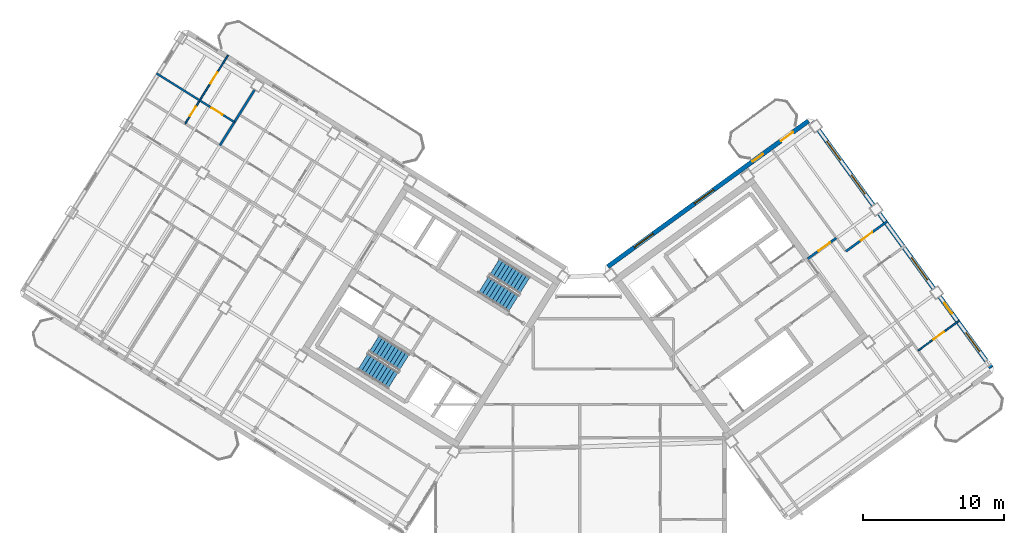
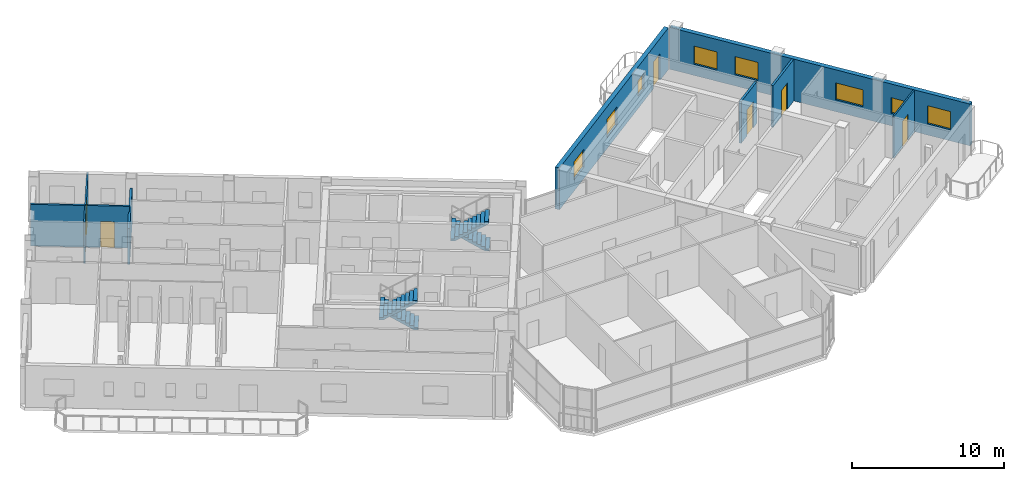
# One storey, part 21 of 25: 9 walls, 8 windows, 7 doors, 4 stair flights, 15 openings, 2 elements without a shape of their own.
"""IFC4 building model written with IfcOpenShell, lengths in metres."""

from ifc_helpers import new_model, si_unit, direction, frame, frame_2d, origin, place, context, subcontext, project, spatial, polyline, rectangle, outline, extrude, source, transform, mapped, material, layer, layer_set, type_object, element, fill, aggregate, save


model = new_model("IFC4")

# Units and contexts
model_context = context("Model", 3, precision=1e-05, world=origin(), true_north=direction((0.0, 1.0)))
body_context = subcontext(model_context, "Body", "Model", "MODEL_VIEW")
ifc_project = project(units=[si_unit("LENGTHUNIT", "METRE"), si_unit("AREAUNIT", "SQUARE_METRE"), si_unit("VOLUMEUNIT", "CUBIC_METRE"), si_unit("PLANEANGLEUNIT", "RADIAN"), si_unit("MASSUNIT", "GRAM", prefix="KILO")], contexts=[model_context])

# Site, building, storey
site_placement = place(None, origin())
site = spatial("IfcSite", under=ifc_project, at=site_placement, CompositionType="ELEMENT")
building_placement = place(site_placement, origin())
building = spatial("IfcBuilding", under=site, at=building_placement, Name="Tlacorven Tower", CompositionType="ELEMENT")
storey_placement = place(building_placement, frame((0.0, 0.0, 259.199951171875)))
storey = spatial("IfcBuildingStorey", under=building, at=storey_placement, Name="L65", CompositionType="ELEMENT", Elevation=259.199951171875)

# Wall
ifc_material_1 = material(Name="Gypsum plasterboard acoustic partition", Category="gypsum")
ifc_layer_1 = layer(ifc_material_1, 0.159912109375)
ifc_layer_set_1 = layer_set([ifc_layer_1], Name="Gypsum plasterboard acoustic partition")
wall_type_1 = type_object("IfcWallType", Name="WL-DEM-160", PredefinedType="PARTITIONING", material=ifc_layer_set_1)
wall_1_placement = place(storey_placement, frame((18.881103515625, 37.727294921875, 0.0), z_axis=(0.0, 0.0, 1.0), x_axis=(-0.529932694064, -0.848039704119, 0.0)))
element("IfcWall", 1, at=wall_1_placement, inside=storey, type_object=wall_type_1, Name="L65 WS Demising Wall 1", PredefinedType="PARTITIONING", context=body_context, shape_type="SweptSolid", body=[
    extrude(rectangle(XDim=4.637939453125, YDim=0.159912109375, at=frame_2d((2.31884765625, 0.0))), origin(), (0.0, 0.0, 1.0), 2.875),
])

# Wall, opening, door
wall_2_placement = place(storey_placement, frame((58.111083984375, 25.748779296875, 0.0), z_axis=(0.0, 0.0, 1.0), x_axis=(0.809000999347, 0.58780726693, 0.0)))
wall_2 = element("IfcWall", 2, at=wall_2_placement, inside=storey, type_object=wall_type_1, Name="L65 partition 86", PredefinedType="PARTITIONING", context=body_context, shape_type="SweptSolid", body=[
    extrude(rectangle(XDim=2.510009765625, YDim=0.159912109375, at=frame_2d((1.2548828125, 0.0))), origin(), (0.0, 0.0, 1.0), 3.340087890625),
])
opening_1_placement = place(wall_2_placement, frame((0.949951171875, 0.0, 0.0)))
opening_1 = element("IfcOpeningElement", 3, at=opening_1_placement, cuts=wall_2, Name="Opening D11", PredefinedType="OPENING", context=body_context, shape_type="SweptSolid", body=[
    extrude(rectangle(XDim=1.0, YDim=2.10009765625, at=frame_2d((0.5, 1.050048828125))), frame((0.0, 0.08984375, 0.0), z_axis=(0.0, -1.0, 0.0), x_axis=(1.0, 0.0, 0.0)), (0.0, 0.0, 1.0), 0.179931640625),
])
ifc_material_2 = material(Name="Fire-rated steel door assembly", Category="steel")
door_type_1 = type_object("IfcDoorType", Name="DR-FLT-FD60-1000", OperationType="NOTDEFINED", PredefinedType="DOOR", material=ifc_material_2)
shared_shape_1 = source(origin(), body_context, "Body", "SweptSolid", [
    extrude(rectangle(XDim=1.0, YDim=2.10009765625, at=frame_2d((0.5, 1.050048828125))), frame((0.0, 0.02490234375, 0.0), z_axis=(0.0, -1.0, 0.0), x_axis=(1.0, 0.0, 0.0)), (0.0, 0.0, 1.0), 0.050048828125),
])
door_1_placement = place(opening_1_placement, origin())
door_1 = element("IfcDoor", 4, at=door_1_placement, inside=storey, type_object=door_type_1, Name="L65 door 060", OperationType="SINGLE_SWING_RIGHT", OverallHeight=2.10009765625, OverallWidth=1.0, PredefinedType="DOOR", context=body_context, shape_type="MappedRepresentation", body=[
    mapped(shared_shape_1, transform((0.0, 0.0, 0.0), scale=1.0)),
])
fill(opening_1, door_1)

wall_3_placement = place(storey_placement, frame((60.829345703125, 26.277587890625, 0.0), z_axis=(0.0, 0.0, 1.0), x_axis=(0.809003564202, 0.587803736896, 0.0)))
wall_3 = element("IfcWall", 5, at=wall_3_placement, inside=storey, type_object=wall_type_1, Name="L65 partition 91", PredefinedType="PARTITIONING", context=body_context, shape_type="SweptSolid", body=[
    extrude(rectangle(XDim=3.630126953125, YDim=0.159912109375, at=frame_2d((1.81494140625, 0.0))), origin(), (0.0, 0.0, 1.0), 3.340087890625),
])
opening_2_placement = place(wall_3_placement, frame((1.304931640625, 0.0, 0.0)))
opening_2 = element("IfcOpeningElement", 6, at=opening_2_placement, cuts=wall_3, Name="Opening D11", PredefinedType="OPENING", context=body_context, shape_type="SweptSolid", body=[
    extrude(rectangle(XDim=1.0, YDim=2.10009765625, at=frame_2d((0.5, 1.050048828125))), frame((0.0, 0.08984375, 0.0), z_axis=(0.0, -1.0, 0.0), x_axis=(1.0, 0.0, 0.0)), (0.0, 0.0, 1.0), 0.179931640625),
])
door_2_placement = place(opening_2_placement, origin())
door_2 = element("IfcDoor", 7, at=door_2_placement, inside=storey, type_object=door_type_1, Name="L65 door 062", OperationType="SINGLE_SWING_RIGHT", OverallHeight=2.10009765625, OverallWidth=1.0, PredefinedType="DOOR", context=body_context, shape_type="MappedRepresentation", body=[
    mapped(shared_shape_1, transform((0.0, 0.0, 0.0), scale=1.0)),
])
fill(opening_2, door_2)

# Wall, openings, door, windows
ifc_material_3 = material(Name="Precast concrete C45/55", Category="concrete")
ifc_layer_2 = layer(ifc_material_3, 0.320068359375)
ifc_layer_set_2 = layer_set([ifc_layer_2], Name="Precast concrete C45/55")
wall_type_2 = type_object("IfcWallType", Name="WL-EXT-320", PredefinedType="STANDARD", material=ifc_layer_set_2)
wall_4_placement = place(storey_placement, frame((43.93798828125, 25.191650390625, 0.0), z_axis=(0.0, 0.0, 1.0), x_axis=(0.809016324578, 0.587786174187, 0.0)))
wall_4 = element("IfcWall", 8, at=wall_4_placement, inside=storey, type_object=wall_type_2, Name="L65 Masonry-Frame Recessed Facade Wall 4", PredefinedType="STANDARD", context=body_context, shape_type="SweptSolid", body=[
    extrude(rectangle(XDim=17.58740234375, YDim=0.320068359375, at=frame_2d((8.793701171875, 0.0))), origin(), (0.0, 0.0, 1.0), 3.35009765625),
])
opening_3_placement = place(wall_4_placement, frame((15.17626953125, 0.0, 0.0)))
opening_3 = element("IfcOpeningElement", 9, at=opening_3_placement, cuts=wall_4, Name="Opening D06", PredefinedType="OPENING", context=body_context, shape_type="SweptSolid", body=[
    extrude(rectangle(XDim=1.050048828125, YDim=2.14990234375, at=frame_2d((0.52490234375, 1.074951171875))), frame((0.0, 0.169921875, 0.0), z_axis=(0.0, -1.0, 0.0), x_axis=(1.0, 0.0, 0.0)), (0.0, 0.0, 1.0), 0.340087890625),
])
opening_4_placement = place(wall_4_placement, frame((2.318603515625, 0.0, 0.89990234375)))
opening_4 = element("IfcOpeningElement", 10, at=opening_4_placement, cuts=wall_4, Name="Opening WN07", PredefinedType="OPENING", context=body_context, shape_type="SweptSolid", body=[
    extrude(rectangle(XDim=1.64990234375, YDim=1.449951171875, at=frame_2d((0.824951171875, 0.72509765625))), frame((0.0, 0.169921875, 0.0), z_axis=(0.0, -1.0, 0.0), x_axis=(1.0, 0.0, 0.0)), (0.0, 0.0, 1.0), 0.340087890625),
])
opening_5_placement = place(wall_4_placement, frame((7.61865234375, 0.0, 0.89990234375)))
opening_5 = element("IfcOpeningElement", 11, at=opening_5_placement, cuts=wall_4, Name="Opening WN07", PredefinedType="OPENING", context=body_context, shape_type="SweptSolid", body=[
    extrude(rectangle(XDim=1.64990234375, YDim=1.449951171875, at=frame_2d((0.824951171875, 0.72509765625))), frame((0.0, 0.169921875, 0.0), z_axis=(0.0, -1.0, 0.0), x_axis=(1.0, 0.0, 0.0)), (0.0, 0.0, 1.0), 0.340087890625),
])
opening_6_placement = place(wall_4_placement, frame((12.68359375, 0.0, 1.0)))
opening_6 = element("IfcOpeningElement", 12, at=opening_6_placement, cuts=wall_4, Name="Opening WN05", PredefinedType="OPENING", context=body_context, shape_type="SweptSolid", body=[
    extrude(rectangle(XDim=0.89990234375, YDim=1.25, at=frame_2d((0.449951171875, 0.625))), frame((0.0, 0.169921875, 0.0), z_axis=(0.0, -1.0, 0.0), x_axis=(1.0, 0.0, 0.0)), (0.0, 0.0, 1.0), 0.340087890625),
])
ifc_material_4 = material(Name="Powder-coated aluminium and timber door", Category="wood")
door_type_2 = type_object("IfcDoorType", Name="DR-EXT-BALC-1050", OperationType="NOTDEFINED", PredefinedType="DOOR", material=ifc_material_4)
shared_shape_2 = source(origin(), body_context, "Body", "SweptSolid", [
    extrude(rectangle(XDim=1.050048828125, YDim=2.14990234375, at=frame_2d((0.52490234375, 1.074951171875))), frame((0.0, 0.02490234375, 0.0), z_axis=(0.0, -1.0, 0.0), x_axis=(1.0, 0.0, 0.0)), (0.0, 0.0, 1.0), 0.050048828125),
])
door_3_placement = place(opening_3_placement, origin())
door_3 = element("IfcDoor", 13, at=door_3_placement, inside=storey, type_object=door_type_2, Name="L65 Outdoor Access Door BAL-L65-E-IN", OperationType="SINGLE_SWING_RIGHT", OverallHeight=2.14990234375, OverallWidth=1.050048828125, PredefinedType="DOOR", context=body_context, shape_type="MappedRepresentation", body=[
    mapped(shared_shape_2, transform((0.0, 0.0, 0.0), scale=1.0)),
])
fill(opening_3, door_3)
ifc_material_5 = material(Name="Dark solar low-E double glazing in anodised aluminium frame", Category="aluminium")
window_type_1 = type_object("IfcWindowType", Name="WN-APT-0900X1350", PartitioningType="SINGLE_PANEL", PredefinedType="WINDOW", material=ifc_material_5)
shared_shape_3 = source(origin(), body_context, "Body", "SweptSolid", [
    extrude(rectangle(XDim=0.89990234375, YDim=1.25, at=frame_2d((0.449951171875, 0.625))), frame((0.0, 0.030029296875, 0.0), z_axis=(0.0, -1.0, 0.0), x_axis=(1.0, 0.0, 0.0)), (0.0, 0.0, 1.0), 0.06005859375),
])
window_1_placement = place(opening_6_placement, origin())
window_1 = element("IfcWindow", 14, at=window_1_placement, inside=storey, type_object=window_type_1, Name="L65 Recessed Masonry-Frame Window L65-04.3", OverallHeight=1.25, OverallWidth=0.89990234375, PartitioningType="SINGLE_PANEL", PredefinedType="WINDOW", context=body_context, shape_type="MappedRepresentation", body=[
    mapped(shared_shape_3, transform((0.0, 0.0, 0.0), scale=1.0)),
])
fill(opening_6, window_1)
window_type_2 = type_object("IfcWindowType", Name="WN-APT-1650X1600", PartitioningType="SINGLE_PANEL", PredefinedType="WINDOW", material=ifc_material_5)
shared_shape_4 = source(origin(), body_context, "Body", "SweptSolid", [
    extrude(rectangle(XDim=1.64990234375, YDim=1.449951171875, at=frame_2d((0.824951171875, 0.72509765625))), frame((0.0, 0.030029296875, 0.0), z_axis=(0.0, -1.0, 0.0), x_axis=(1.0, 0.0, 0.0)), (0.0, 0.0, 1.0), 0.06005859375),
])
window_2_placement = place(opening_4_placement, origin())
window_2 = element("IfcWindow", 15, at=window_2_placement, inside=storey, type_object=window_type_2, Name="L65 Recessed Masonry-Frame Window L65-04.1", OverallHeight=1.449951171875, OverallWidth=1.64990234375, PartitioningType="SINGLE_PANEL", PredefinedType="WINDOW", context=body_context, shape_type="MappedRepresentation", body=[
    mapped(shared_shape_4, transform((0.0, 0.0, 0.0), scale=1.0)),
])
fill(opening_4, window_2)
window_3_placement = place(opening_5_placement, origin())
window_3 = element("IfcWindow", 16, at=window_3_placement, inside=storey, type_object=window_type_2, Name="L65 Recessed Masonry-Frame Window L65-04.2", OverallHeight=1.449951171875, OverallWidth=1.64990234375, PartitioningType="SINGLE_PANEL", PredefinedType="WINDOW", context=body_context, shape_type="MappedRepresentation", body=[
    mapped(shared_shape_4, transform((0.0, 0.0, 0.0), scale=1.0)),
])
fill(opening_5, window_3)

# Wall, openings, windows
wall_5_placement = place(storey_placement, frame((58.45458984375, 35.483642578125, 0.0), z_axis=(0.0, 0.0, 1.0), x_axis=(0.587783625747, -0.809018176127, 0.0)))
wall_5 = element("IfcWall", 17, at=wall_5_placement, inside=storey, type_object=wall_type_2, Name="L65 Masonry-Frame Recessed Facade Wall 5", PredefinedType="STANDARD", context=body_context, shape_type="SweptSolid", body=[
    extrude(rectangle(XDim=21.58740234375, YDim=0.320068359375, at=frame_2d((10.793701171875, 0.0))), origin(), (0.0, 0.0, 1.0), 3.35009765625),
])
opening_7_placement = place(wall_5_placement, frame((1.74365234375, 0.0, 0.89990234375)))
opening_7 = element("IfcOpeningElement", 18, at=opening_7_placement, cuts=wall_5, Name="Opening WN07", PredefinedType="OPENING", context=body_context, shape_type="SweptSolid", body=[
    extrude(rectangle(XDim=1.64990234375, YDim=1.449951171875, at=frame_2d((0.824951171875, 0.72509765625))), frame((0.0, 0.169921875, 0.0), z_axis=(0.0, -1.0, 0.0), x_axis=(1.0, 0.0, 0.0)), (0.0, 0.0, 1.0), 0.340087890625),
])
opening_8_placement = place(wall_5_placement, frame((4.693603515625, 0.0, 0.89990234375)))
opening_8 = element("IfcOpeningElement", 19, at=opening_8_placement, cuts=wall_5, Name="Opening WN07", PredefinedType="OPENING", context=body_context, shape_type="SweptSolid", body=[
    extrude(rectangle(XDim=1.64990234375, YDim=1.449951171875, at=frame_2d((0.824951171875, 0.72509765625))), frame((0.0, 0.169921875, 0.0), z_axis=(0.0, -1.0, 0.0), x_axis=(1.0, 0.0, 0.0)), (0.0, 0.0, 1.0), 0.340087890625),
])
opening_9_placement = place(wall_5_placement, frame((11.93359375, 0.0, 0.949951171875)))
opening_9 = element("IfcOpeningElement", 20, at=opening_9_placement, cuts=wall_5, Name="Opening WN09", PredefinedType="OPENING", context=body_context, shape_type="SweptSolid", body=[
    extrude(rectangle(XDim=1.949951171875, YDim=1.35009765625, at=frame_2d((0.97509765625, 0.675048828125))), frame((0.0, 0.169921875, 0.0), z_axis=(0.0, -1.0, 0.0), x_axis=(1.0, 0.0, 0.0)), (0.0, 0.0, 1.0), 0.340087890625),
])
opening_10_placement = place(wall_5_placement, frame((15.917236328125, 0.0, 1.0)))
opening_10 = element("IfcOpeningElement", 21, at=opening_10_placement, cuts=wall_5, Name="Opening WN05", PredefinedType="OPENING", context=body_context, shape_type="SweptSolid", body=[
    extrude(rectangle(XDim=0.89990234375, YDim=1.25, at=frame_2d((0.449951171875, 0.625))), frame((0.0, 0.169921875, 0.0), z_axis=(0.0, -1.0, 0.0), x_axis=(1.0, 0.0, 0.0)), (0.0, 0.0, 1.0), 0.340087890625),
])
opening_11_placement = place(wall_5_placement, frame((18.509765625, 0.0, 0.89990234375)))
opening_11 = element("IfcOpeningElement", 22, at=opening_11_placement, cuts=wall_5, Name="Opening WN07", PredefinedType="OPENING", context=body_context, shape_type="SweptSolid", body=[
    extrude(rectangle(XDim=1.64990234375, YDim=1.449951171875, at=frame_2d((0.824951171875, 0.72509765625))), frame((0.0, 0.169921875, 0.0), z_axis=(0.0, -1.0, 0.0), x_axis=(1.0, 0.0, 0.0)), (0.0, 0.0, 1.0), 0.340087890625),
])
window_4_placement = place(opening_10_placement, origin())
window_4 = element("IfcWindow", 23, at=window_4_placement, inside=storey, type_object=window_type_1, Name="L65 Recessed Masonry-Frame Window L65-05.4", OverallHeight=1.25, OverallWidth=0.89990234375, PartitioningType="SINGLE_PANEL", PredefinedType="WINDOW", context=body_context, shape_type="MappedRepresentation", body=[
    mapped(shared_shape_3, transform((0.0, 0.0, 0.0), scale=1.0)),
])
fill(opening_10, window_4)
window_5_placement = place(opening_7_placement, origin())
window_5 = element("IfcWindow", 24, at=window_5_placement, inside=storey, type_object=window_type_2, Name="L65 Recessed Masonry-Frame Window L65-05.1", OverallHeight=1.449951171875, OverallWidth=1.64990234375, PartitioningType="SINGLE_PANEL", PredefinedType="WINDOW", context=body_context, shape_type="MappedRepresentation", body=[
    mapped(shared_shape_4, transform((0.0, 0.0, 0.0), scale=1.0)),
])
fill(opening_7, window_5)
window_6_placement = place(opening_8_placement, origin())
window_6 = element("IfcWindow", 25, at=window_6_placement, inside=storey, type_object=window_type_2, Name="L65 Recessed Masonry-Frame Window L65-05.2", OverallHeight=1.449951171875, OverallWidth=1.64990234375, PartitioningType="SINGLE_PANEL", PredefinedType="WINDOW", context=body_context, shape_type="MappedRepresentation", body=[
    mapped(shared_shape_4, transform((0.0, 0.0, 0.0), scale=1.0)),
])
fill(opening_8, window_6)
window_7_placement = place(opening_11_placement, origin())
window_7 = element("IfcWindow", 26, at=window_7_placement, inside=storey, type_object=window_type_2, Name="L65 Recessed Masonry-Frame Window L65-05.5", OverallHeight=1.449951171875, OverallWidth=1.64990234375, PartitioningType="SINGLE_PANEL", PredefinedType="WINDOW", context=body_context, shape_type="MappedRepresentation", body=[
    mapped(shared_shape_4, transform((0.0, 0.0, 0.0), scale=1.0)),
])
fill(opening_11, window_7)
window_type_3 = type_object("IfcWindowType", Name="WN-GAL-1950X1450", PartitioningType="SINGLE_PANEL", PredefinedType="WINDOW", material=ifc_material_5)
shared_shape_5 = source(origin(), body_context, "Body", "SweptSolid", [
    extrude(rectangle(XDim=1.949951171875, YDim=1.35009765625, at=frame_2d((0.97509765625, 0.675048828125))), frame((0.0, 0.030029296875, 0.0), z_axis=(0.0, -1.0, 0.0), x_axis=(1.0, 0.0, 0.0)), (0.0, 0.0, 1.0), 0.06005859375),
])
window_8_placement = place(opening_9_placement, origin())
window_8 = element("IfcWindow", 27, at=window_8_placement, inside=storey, type_object=window_type_3, Name="L65 Recessed Masonry-Frame Window L65-05.3", OverallHeight=1.35009765625, OverallWidth=1.949951171875, PartitioningType="SINGLE_PANEL", PredefinedType="WINDOW", context=body_context, shape_type="MappedRepresentation", body=[
    mapped(shared_shape_5, transform((0.0, 0.0, 0.0), scale=1.0)),
])
fill(opening_9, window_8)

# Wall, openings, doors
ifc_material_6 = material(Name="Gypsum plasterboard partition", Category="gypsum")
ifc_layer_3 = layer(ifc_material_6, 0.110107421875)
ifc_layer_set_3 = layer_set([ifc_layer_3], Name="Gypsum plasterboard partition")
wall_type_3 = type_object("IfcWallType", Name="WL-INT-110", PredefinedType="PARTITIONING", material=ifc_layer_set_3)
wall_6_placement = place(storey_placement, frame((16.9951171875, 40.181640625, 0.0), z_axis=(0.0, 0.0, 1.0), x_axis=(-0.529903020922, -0.848058245888, 0.0)))
wall_6 = element("IfcWall", 28, at=wall_6_placement, inside=storey, type_object=wall_type_3, Name="L65 partition 60", PredefinedType="PARTITIONING", context=body_context, shape_type="SweptSolid", body=[
    extrude(rectangle(XDim=5.719970703125, YDim=0.110107421875, at=frame_2d((2.85986328125, 0.0))), origin(), (0.0, 0.0, 1.0), 3.340087890625),
])
opening_12_placement = place(wall_6_placement, frame((4.3076171875, 0.0, 0.0)))
opening_12 = element("IfcOpeningElement", 29, at=opening_12_placement, cuts=wall_6, Name="Opening D22", PredefinedType="OPENING", context=body_context, shape_type="SweptSolid", body=[
    extrude(rectangle(XDim=0.780029296875, YDim=2.050048828125, at=frame_2d((0.39013671875, 1.02490234375))), frame((0.0, 0.06494140625, 0.0), z_axis=(0.0, -1.0, 0.0), x_axis=(1.0, 0.0, 0.0)), (0.0, 0.0, 1.0), 0.130126953125),
])
opening_13_placement = place(wall_6_placement, frame((1.427490234375, 0.0, 0.0)))
opening_13 = element("IfcOpeningElement", 30, at=opening_13_placement, cuts=wall_6, Name="Opening D12", PredefinedType="OPENING", context=body_context, shape_type="SweptSolid", body=[
    extrude(rectangle(XDim=0.919921875, YDim=2.080078125, at=frame_2d((0.4599609375, 1.0400390625))), frame((0.0, 0.06494140625, 0.0), z_axis=(0.0, -1.0, 0.0), x_axis=(1.0, 0.0, 0.0)), (0.0, 0.0, 1.0), 0.130126953125),
])
door_type_3 = type_object("IfcDoorType", Name="DR-INT-WET-0780", OperationType="NOTDEFINED", PredefinedType="DOOR", material=ifc_material_4)
shared_shape_6 = source(origin(), body_context, "Body", "SweptSolid", [
    extrude(rectangle(XDim=0.780029296875, YDim=2.050048828125, at=frame_2d((0.39013671875, 1.02490234375))), frame((0.0, 0.02490234375, 0.0), z_axis=(0.0, -1.0, 0.0), x_axis=(1.0, 0.0, 0.0)), (0.0, 0.0, 1.0), 0.050048828125),
])
door_4_placement = place(opening_12_placement, origin())
door_4 = element("IfcDoor", 31, at=door_4_placement, inside=storey, type_object=door_type_3, Name="L65 door 042", OperationType="SINGLE_SWING_RIGHT", OverallHeight=2.050048828125, OverallWidth=0.780029296875, PredefinedType="DOOR", context=body_context, shape_type="MappedRepresentation", body=[
    mapped(shared_shape_6, transform((0.0, 0.0, 0.0), scale=1.0)),
])
fill(opening_12, door_4)
door_type_4 = type_object("IfcDoorType", Name="DR-INT-ROOM-0920", OperationType="NOTDEFINED", PredefinedType="DOOR", material=ifc_material_4)
shared_shape_7 = source(origin(), body_context, "Body", "SweptSolid", [
    extrude(rectangle(XDim=0.919921875, YDim=2.080078125, at=frame_2d((0.4599609375, 1.0400390625))), frame((0.0, 0.02490234375, 0.0), z_axis=(0.0, -1.0, 0.0), x_axis=(1.0, 0.0, 0.0)), (0.0, 0.0, 1.0), 0.050048828125),
])
door_5_placement = place(opening_13_placement, origin())
door_5 = element("IfcDoor", 32, at=door_5_placement, inside=storey, type_object=door_type_4, Name="L65 door 043", OperationType="SINGLE_SWING_LEFT", OverallHeight=2.080078125, OverallWidth=0.919921875, PredefinedType="DOOR", context=body_context, shape_type="MappedRepresentation", body=[
    mapped(shared_shape_7, transform((0.0, 0.0, 0.0), scale=1.0)),
])
fill(opening_13, door_5)

# Wall, opening, door
wall_7_placement = place(storey_placement, frame((65.9443359375, 19.237548828125, 0.0), z_axis=(0.0, 0.0, 1.0), x_axis=(0.809013833588, 0.587789602718, 0.0)))
wall_7 = element("IfcWall", 33, at=wall_7_placement, inside=storey, type_object=wall_type_3, Name="L65 partition 92", PredefinedType="PARTITIONING", context=body_context, shape_type="SweptSolid", body=[
    extrude(rectangle(XDim=3.60986328125, YDim=0.110107421875, at=frame_2d((1.804931640625, 0.0))), origin(), (0.0, 0.0, 1.0), 3.340087890625),
])
opening_14_placement = place(wall_7_placement, frame((1.344970703125, 0.0, 0.0)))
opening_14 = element("IfcOpeningElement", 34, at=opening_14_placement, cuts=wall_7, Name="Opening D12", PredefinedType="OPENING", context=body_context, shape_type="SweptSolid", body=[
    extrude(rectangle(XDim=0.919921875, YDim=2.080078125, at=frame_2d((0.4599609375, 1.0400390625))), frame((0.0, 0.06494140625, 0.0), z_axis=(0.0, -1.0, 0.0), x_axis=(1.0, 0.0, 0.0)), (0.0, 0.0, 1.0), 0.130126953125),
])
door_6_placement = place(opening_14_placement, origin())
door_6 = element("IfcDoor", 35, at=door_6_placement, inside=storey, type_object=door_type_4, Name="L65 door 064", OperationType="SINGLE_SWING_RIGHT", OverallHeight=2.080078125, OverallWidth=0.919921875, PredefinedType="DOOR", context=body_context, shape_type="MappedRepresentation", body=[
    mapped(shared_shape_7, transform((0.0, 0.0, 0.0), scale=1.0)),
])
fill(opening_14, door_6)

ifc_material_7 = material(Name="Moisture-resistant gypsum plumbing wall", Category="gypsum")
ifc_layer_4 = layer(ifc_material_7, 0.139892578125)
ifc_layer_set_4 = layer_set([ifc_layer_4], Name="Moisture-resistant gypsum plumbing wall")
wall_type_4 = type_object("IfcWallType", Name="WL-PLM-140", PredefinedType="PLUMBINGWALL", material=ifc_layer_set_4)
wall_8_placement = place(storey_placement, frame((17.4541015625, 35.443603515625, 0.0), z_axis=(0.0, 0.0, 1.0), x_axis=(-0.848083424339, 0.529862723128, 0.0)))
wall_8 = element("IfcWall", 36, at=wall_8_placement, inside=storey, type_object=wall_type_4, Name="L65 partition 62", PredefinedType="PLUMBINGWALL", context=body_context, shape_type="SweptSolid", body=[
    extrude(rectangle(XDim=2.900146484375, YDim=0.139892578125, at=frame_2d((1.4501953125, 0.0))), origin(), (0.0, 0.0, 1.0), 3.340087890625),
])
opening_15_placement = place(wall_8_placement, frame((0.989990234375, 0.0, 0.0)))
opening_15 = element("IfcOpeningElement", 37, at=opening_15_placement, cuts=wall_8, Name="Opening D12", PredefinedType="OPENING", context=body_context, shape_type="SweptSolid", body=[
    extrude(rectangle(XDim=0.919921875, YDim=2.080078125, at=frame_2d((0.4599609375, 1.0400390625))), frame((0.0, 0.080078125, 0.0), z_axis=(0.0, -1.0, 0.0), x_axis=(1.0, 0.0, 0.0)), (0.0, 0.0, 1.0), 0.159912109375),
])
door_7_placement = place(opening_15_placement, origin())
door_7 = element("IfcDoor", 38, at=door_7_placement, inside=storey, type_object=door_type_4, Name="L65 door 041", OperationType="SINGLE_SWING_LEFT", OverallHeight=2.080078125, OverallWidth=0.919921875, PredefinedType="DOOR", context=body_context, shape_type="MappedRepresentation", body=[
    mapped(shared_shape_7, transform((0.0, 0.0, 0.0), scale=1.0)),
])
fill(opening_15, door_7)

# Wall
wall_9_placement = place(storey_placement, frame((14.99462890625, 36.980224609375, 0.0), z_axis=(0.0, 0.0, 1.0), x_axis=(-0.848021036626, 0.529962566074, 0.0)))
element("IfcWall", 39, at=wall_9_placement, inside=storey, type_object=wall_type_4, Name="L65 partition 63", PredefinedType="PLUMBINGWALL", context=body_context, shape_type="SweptSolid", body=[
    extrude(rectangle(XDim=3.619873046875, YDim=0.139892578125, at=frame_2d((1.81005859375, 0.0))), origin(), (0.0, 0.0, 1.0), 3.340087890625),
])

# Stair, stair flights
ifc_material_8 = material(Name="Concrete C40/50", Category="concrete")
stair_type = type_object("IfcStairType", Name="ST-CORE-DLG", PredefinedType="HALF_TURN_STAIR", material=ifc_material_8)
stair_1_placement = place(storey_placement, origin())
stair_1 = element("IfcStair", 40, at=stair_1_placement, inside=storey, type_object=stair_type, Name="L65 Protected Exit Stair West 1", PredefinedType="HALF_TURN_STAIR")
stair_flight_type = type_object("IfcStairFlightType", Name="SFL-RC-1380", PredefinedType="STRAIGHT", material=ifc_material_8)
shared_shape_8 = source(origin(), body_context, "Body", "SweptSolid", [
    extrude(outline(polyline([(-0.0029296875, -0.0029296875), (-0.0029296875, 0.179931640625), (0.280029296875, 0.179931640625), (0.280029296875, 0.360107421875), (0.56005859375, 0.360107421875), (0.56005859375, 0.5400390625), (0.840087890625, 0.5400390625), (0.840087890625, 0.719970703125), (1.1201171875, 0.719970703125), (1.1201171875, 0.89990234375), (1.39990234375, 0.89990234375), (1.39990234375, 1.080078125), (1.679931640625, 1.080078125), (1.679931640625, 1.260009765625), (1.9599609375, 1.260009765625), (1.9599609375, 1.43994140625), (2.239990234375, 1.43994140625), (2.239990234375, 1.6201171875), (2.52001953125, 1.6201171875), (2.52001953125, 1.800048828125), (2.52294921875, 1.800048828125), (2.52294921875, 1.429931640625), (2.52001953125, 1.429931640625), (0.295654296875, 0.0), (0.295654296875, -0.0029296875), (-0.0029296875, -0.0029296875)])), frame((0.0, 0.68994140625, 0.0), z_axis=(0.0, -1.0, 0.0), x_axis=(1.0, 0.0, 0.0)), (0.0, 0.0, 1.0), 1.3798828125),
])
stair_flight_1_placement = place(storey_placement, frame((29.499755859375, 18.39453125, 0.0), z_axis=(0.0, 0.0, 1.0), x_axis=(-0.848048096156, 0.529919264233, 0.0)))
stair_flight_1 = element("IfcStairFlight", 41, at=stair_flight_1_placement, type_object=stair_flight_type, Name="ST-W1 flight 1", NumberOfRisers=10, NumberOfTreads=9, PredefinedType="STRAIGHT", RiserHeight=0.18, TreadLength=0.28, context=body_context, shape_type="MappedRepresentation", body=[
    mapped(shared_shape_8, transform((0.0, 0.0, 0.0), scale=1.0)),
])
stair_flight_2_placement = place(storey_placement, frame((26.56787109375, 18.4580078125, 1.800048828125), z_axis=(0.0, 0.0, 1.0), x_axis=(0.848048096156, -0.529919264233, 0.0)))
stair_flight_2 = element("IfcStairFlight", 42, at=stair_flight_2_placement, type_object=stair_flight_type, Name="ST-W1 flight 2", NumberOfRisers=10, NumberOfTreads=9, PredefinedType="STRAIGHT", RiserHeight=0.18, TreadLength=0.28, context=body_context, shape_type="MappedRepresentation", body=[
    mapped(shared_shape_8, transform((0.0, 0.0, 0.0), scale=1.0)),
])
aggregate(stair_1, [stair_flight_1, stair_flight_2])

stair_2_placement = place(storey_placement, origin())
stair_2 = element("IfcStair", 43, at=stair_2_placement, inside=storey, type_object=stair_type, Name="L65 Protected Exit Stair West 2", PredefinedType="HALF_TURN_STAIR")
stair_flight_3_placement = place(storey_placement, frame((38.051513671875, 23.852294921875, 0.0), z_axis=(0.0, 0.0, 1.0), x_axis=(-0.848048096156, 0.529919264233, 0.0)))
stair_flight_3 = element("IfcStairFlight", 44, at=stair_flight_3_placement, type_object=stair_flight_type, Name="ST-W2 flight 1", NumberOfRisers=10, NumberOfTreads=9, PredefinedType="STRAIGHT", RiserHeight=0.18, TreadLength=0.28, context=body_context, shape_type="MappedRepresentation", body=[
    mapped(shared_shape_8, transform((0.0, 0.0, 0.0), scale=1.0)),
])
stair_flight_4_placement = place(storey_placement, frame((35.119384765625, 23.91552734375, 1.800048828125), z_axis=(0.0, 0.0, 1.0), x_axis=(0.848048096156, -0.529919264233, 0.0)))
stair_flight_4 = element("IfcStairFlight", 45, at=stair_flight_4_placement, type_object=stair_flight_type, Name="ST-W2 flight 2", NumberOfRisers=10, NumberOfTreads=9, PredefinedType="STRAIGHT", RiserHeight=0.18, TreadLength=0.28, context=body_context, shape_type="MappedRepresentation", body=[
    mapped(shared_shape_8, transform((0.0, 0.0, 0.0), scale=1.0)),
])
aggregate(stair_2, [stair_flight_3, stair_flight_4])

save(model, "model.ifc")
